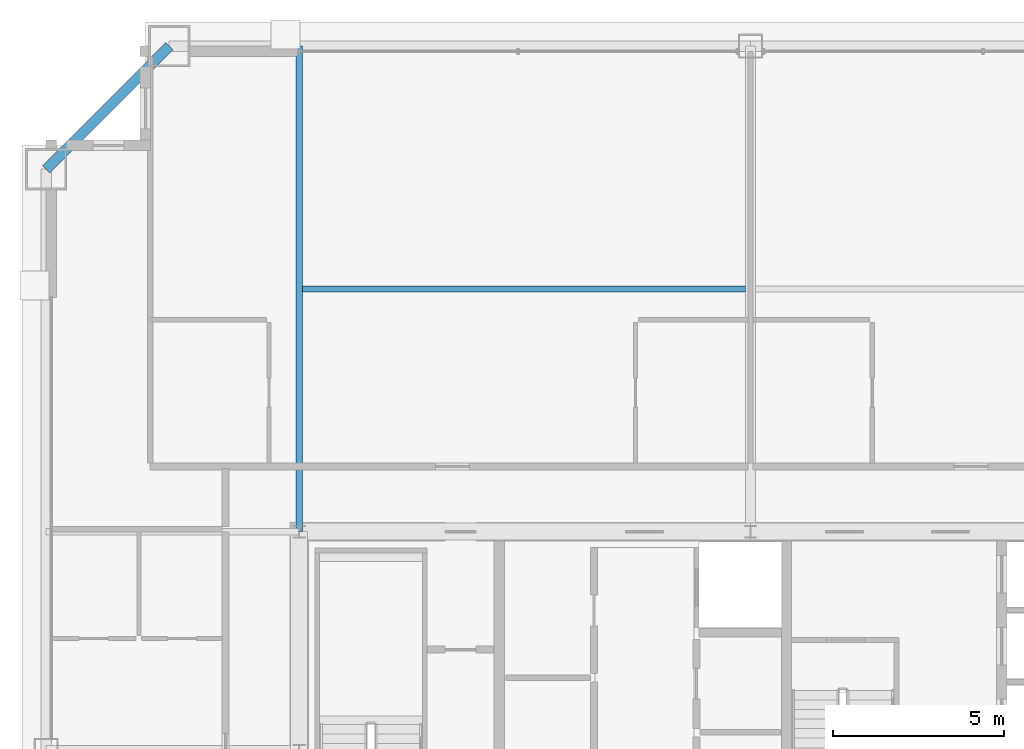
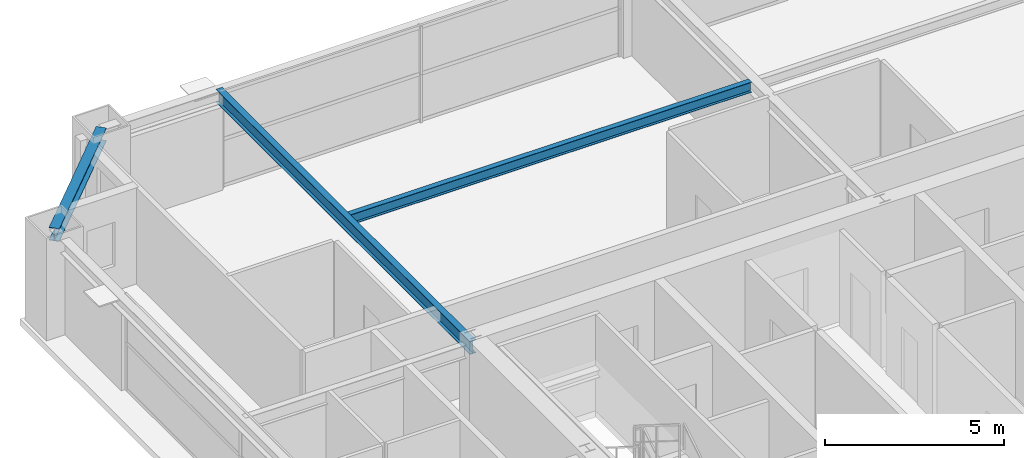
# One storey, part 24 of 37: 3 beams.
"""IFC4 building model written with IfcOpenShell, lengths in metres."""

from ifc_helpers import new_model, si_unit, direction, frame, origin, origin_2d, place, context, subcontext, project, spatial, i_section, extrude, source, transform, mapped, material, material_profile, profile_set, type_object, element, save


model = new_model("IFC4")

# Units and contexts
model_context = context("Model", 3, precision=1e-05, world=origin(), true_north=direction((0.0, 1.0)))
body_context = subcontext(model_context, "Body", "Model", "MODEL_VIEW")
ifc_project = project(units=[si_unit("LENGTHUNIT", "METRE"), si_unit("AREAUNIT", "SQUARE_METRE"), si_unit("VOLUMEUNIT", "CUBIC_METRE"), si_unit("PLANEANGLEUNIT", "RADIAN"), si_unit("MASSUNIT", "GRAM", prefix="KILO"), si_unit("THERMODYNAMICTEMPERATUREUNIT", "KELVIN"), si_unit("POWERUNIT", "WATT")], contexts=[model_context])

# Site, building, storey
site_placement = place(None, origin())
site = spatial("IfcSite", under=ifc_project, at=site_placement, CompositionType="ELEMENT")
building_placement = place(site_placement, origin())
building = spatial("IfcBuilding", under=site, at=building_placement, Name="Yuzanri Waterfront Tower", CompositionType="ELEMENT")
storey_placement = place(building_placement, frame((0.0, 0.0, 268.10009765625)))
storey = spatial("IfcBuildingStorey", under=building, at=storey_placement, Name="L71", CompositionType="ELEMENT", Elevation=268.10009765625)

# Beams
ifc_material_1 = material(Name="Steel Q355B", Category="steel")
ifc_material_profile_1 = material_profile(ifc_material_1, i_section(OverallWidth=0.300048828125, OverallDepth=0.43994140625, WebThickness=0.010986328125, FlangeThickness=0.01806640625, at=origin_2d()), Name="HM 440x300x11x18")
ifc_profile_set_1 = profile_set([ifc_material_profile_1], Name="Steel Q355B")
beam_type_1 = type_object("IfcBeamType", Name="Perimeter Spandrel Q355B HM 440x300", PredefinedType="SPANDREL", material=ifc_profile_set_1)
shared_shape_1 = source(origin(), body_context, "Body", "SweptSolid", [
    extrude(i_section(OverallWidth=0.300048828125, OverallDepth=0.43994140625, WebThickness=0.010986328125, FlangeThickness=0.01806640625, at=origin_2d()), origin(), (0.0, 0.0, 1.0), 5.091064453125),
])
beam_1_placement = place(storey_placement, frame((20.0, 46.39990234375, 3.059814453125), z_axis=(-0.707130757816, -0.707082803744, 0.0), x_axis=(0.707082803744, -0.707130757816, 0.0)))
element("IfcBeam", 1, at=beam_1_placement, inside=storey, type_object=beam_type_1, Name="L71 Perimeter Spandrel N1-W3", PredefinedType="SPANDREL", context=body_context, shape_type="MappedRepresentation", body=[
    mapped(shared_shape_1, transform((0.0, 0.0, 0.0), scale=1.0)),
])
ifc_material_2 = material(Name="Steel Q355B", Category="steel")
ifc_material_profile_2 = material_profile(ifc_material_2, i_section(OverallWidth=0.199951171875, OverallDepth=0.449951171875, WebThickness=0.009033203125, FlangeThickness=0.013916015625, at=origin_2d()), Name="HN 450x200x9x14")
ifc_profile_set_2 = profile_set([ifc_material_profile_2], Name="Steel Q355B")
beam_type_2 = type_object("IfcBeamType", Name="Secondary Floor Beam Q355B HN 450x200", PredefinedType="BEAM", material=ifc_profile_set_2)
shared_shape_2 = source(origin(), body_context, "Body", "SweptSolid", [
    extrude(i_section(OverallWidth=0.199951171875, OverallDepth=0.449951171875, WebThickness=0.009033203125, FlangeThickness=0.013916015625, at=origin_2d()), origin(), (0.0, 0.0, 1.0), 14.199951171875),
])
beam_2_placement = place(storey_placement, frame((23.800048828125, 32.199951171875, 3.054931640625), z_axis=(0.0, 1.0, 0.0), x_axis=(-1.0, 0.0, 0.0)))
element("IfcBeam", 2, at=beam_2_placement, inside=storey, type_object=beam_type_2, Name="L71 North-West Core Line Beam", PredefinedType="BEAM", context=body_context, shape_type="MappedRepresentation", body=[
    mapped(shared_shape_2, transform((0.0, 0.0, 0.0), scale=1.0)),
])
ifc_material_3 = material(Name="Steel Q355B", Category="steel")
ifc_material_profile_3 = material_profile(ifc_material_3, i_section(OverallWidth=0.175048828125, OverallDepth=0.35009765625, WebThickness=0.007080078125, FlangeThickness=0.010986328125, at=origin_2d()), Name="HN 350x175x7x11")
ifc_profile_set_3 = profile_set([ifc_material_profile_3], Name="Steel Q355B")
beam_type_3 = type_object("IfcBeamType", Name="Floor Joist Q355B HN 350x175", PredefinedType="JOIST", material=ifc_profile_set_3)
shared_shape_3 = source(origin(), body_context, "Body", "SweptSolid", [
    extrude(i_section(OverallWidth=0.175048828125, OverallDepth=0.35009765625, WebThickness=0.007080078125, FlangeThickness=0.010986328125, at=origin_2d()), origin(), (0.0, 0.0, 1.0), 12.9501953125),
])
beam_3_placement = place(storey_placement, frame((23.89990234375, 39.300048828125, 3.10498046875), z_axis=(1.0, 0.0, 0.0), x_axis=(0.0, 1.0, 0.0)))
element("IfcBeam", 3, at=beam_3_placement, inside=storey, type_object=beam_type_3, Name="L71 North Bay Joist W", PredefinedType="JOIST", context=body_context, shape_type="MappedRepresentation", body=[
    mapped(shared_shape_3, transform((0.0, 0.0, 0.0), scale=1.0)),
])

save(model, "model.ifc")
